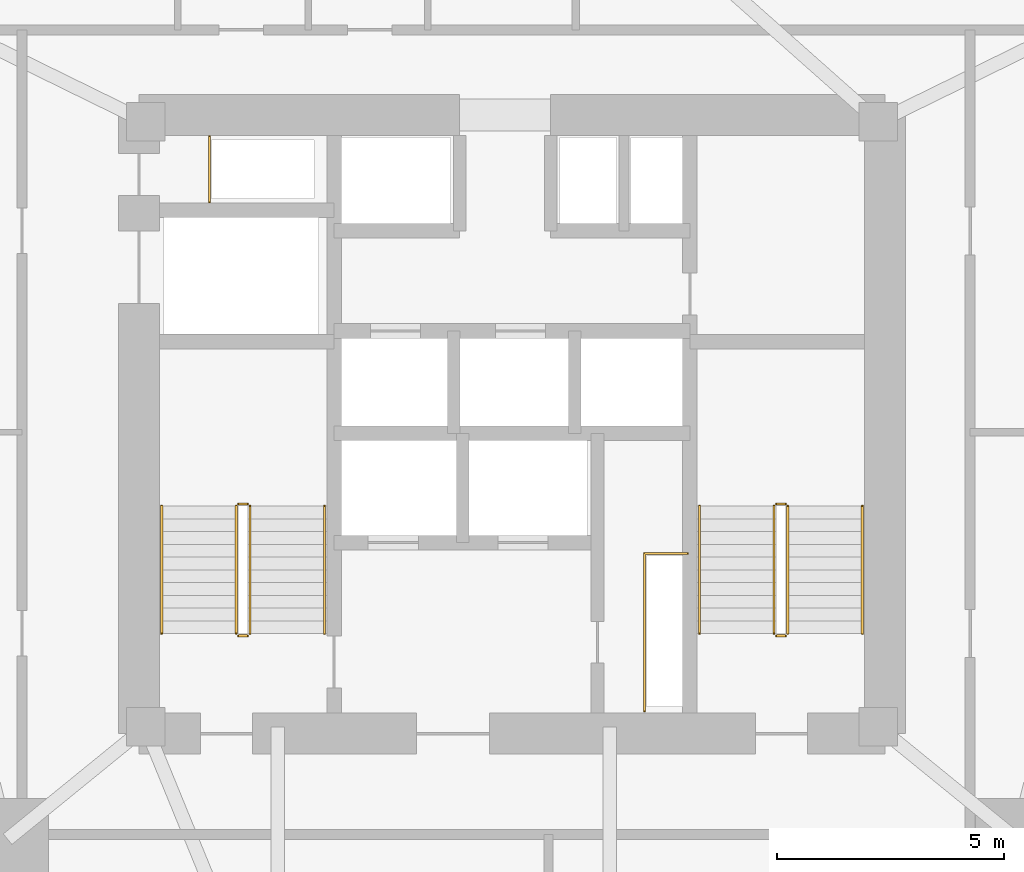
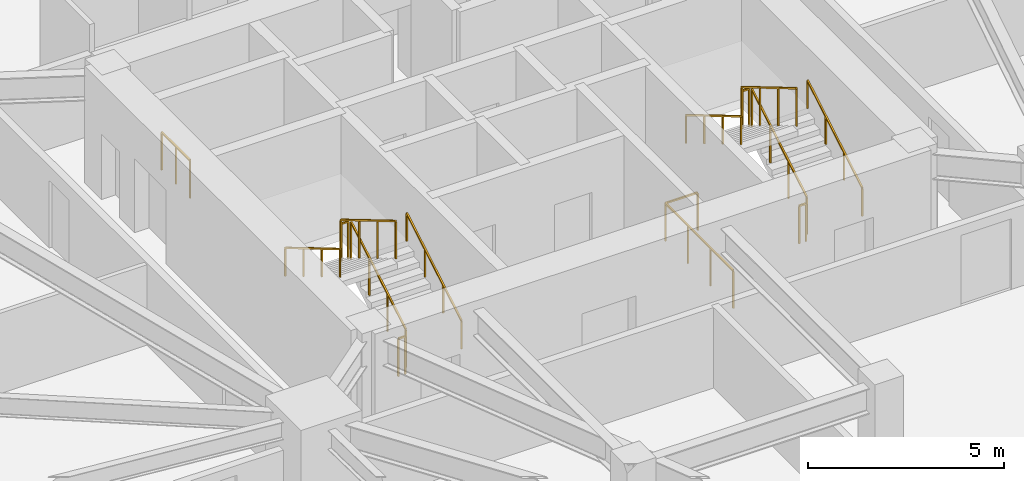
# One storey, part 20 of 20: 14 railings.
"""IFC4 building model written with IfcOpenShell, lengths in metres."""

from ifc_helpers import new_model, si_unit, direction, frame, origin, origin_2d, place, context, subcontext, project, spatial, rectangle, extrude, material, type_object, element, save


model = new_model("IFC4")

# Units and contexts
model_context = context("Model", 3, precision=1e-05, world=origin(), true_north=direction((0.0, 1.0)))
body_context = subcontext(model_context, "Body", "Model", "MODEL_VIEW")
ifc_project = project(units=[si_unit("LENGTHUNIT", "METRE"), si_unit("AREAUNIT", "SQUARE_METRE"), si_unit("VOLUMEUNIT", "CUBIC_METRE"), si_unit("PLANEANGLEUNIT", "RADIAN"), si_unit("MASSUNIT", "GRAM", prefix="KILO")], contexts=[model_context])

# Site, building, storey
site_placement = place(None, origin())
site = spatial("IfcSite", under=ifc_project, at=site_placement, CompositionType="ELEMENT")
building_placement = place(site_placement, origin())
building = spatial("IfcBuilding", under=site, at=building_placement, Name="Talyreon Biosciences Tower", CompositionType="ELEMENT")
storey_placement = place(building_placement, frame((0.0, 0.0, 26.449951171875)))
storey = spatial("IfcBuildingStorey", under=building, at=storey_placement, Name="L06", CompositionType="ELEMENT", Elevation=26.449951171875)

# Railings
ifc_material_1 = material(Name="Brushed stainless-steel tubular handrail", Category="steel")
railing_type_1 = type_object("IfcRailingType", Name="StairWallHandrail_900", PredefinedType="HANDRAIL", material=ifc_material_1)
railing_1_placement = place(storey_placement, frame((61.8798828125, 63.39990234375, 0.166015625)))
element("IfcRailing", 1, at=railing_1_placement, inside=storey, type_object=railing_type_1, Name="L06 ST-1 stair handrail 1", PredefinedType="HANDRAIL", context=body_context, shape_type="SweptSolid", body=[
    extrude(rectangle(XDim=0.048095703125, YDim=0.048095703125, at=origin_2d()), frame((0.0, 0.0, 0.8759765625), z_axis=(0.0, 0.860339051648, 0.50972219513), x_axis=(-1.0, 0.0, 0.0)), (0.0, 0.0, 1.0), 3.254638671875),
    extrude(rectangle(XDim=0.0419921875, YDim=0.0419921875, at=origin_2d()), origin(), (0.0, 0.0, 1.0), 0.851806640625),
    extrude(rectangle(XDim=0.0419921875, YDim=0.0419921875, at=origin_2d()), frame((0.0, 0.933349609375, 0.552978515625)), (0.0, 0.0, 1.0), 0.851806640625),
    extrude(rectangle(XDim=0.0419921875, YDim=0.0419921875, at=origin_2d()), frame((0.0, 1.86669921875, 1.10595703125)), (0.0, 0.0, 1.0), 0.851806640625),
    extrude(rectangle(XDim=0.0419921875, YDim=0.0419921875, at=origin_2d()), frame((0.0, 2.800048828125, 1.658935546875)), (0.0, 0.0, 1.0), 0.851806640625),
])
railing_2_placement = place(storey_placement, frame((58.300048828125, 66.199951171875, 1.990966796875)))
element("IfcRailing", 2, at=railing_2_placement, inside=storey, type_object=railing_type_1, Name="L06 ST-1 stair handrail 2", PredefinedType="HANDRAIL", context=body_context, shape_type="SweptSolid", body=[
    extrude(rectangle(XDim=0.048095703125, YDim=0.048095703125, at=origin_2d()), frame((0.0, 0.0, 0.8759765625), z_axis=(0.0, -0.860306154799, 0.50977771628), x_axis=(1.0, 0.0, 0.0)), (0.0, 0.0, 1.0), 3.254638671875),
    extrude(rectangle(XDim=0.0419921875, YDim=0.0419921875, at=origin_2d()), origin(), (0.0, 0.0, 1.0), 0.851806640625),
    extrude(rectangle(XDim=0.0419921875, YDim=0.0419921875, at=origin_2d()), frame((0.0, -0.933349609375, 0.552978515625)), (0.0, 0.0, 1.0), 0.851806640625),
    extrude(rectangle(XDim=0.0419921875, YDim=0.0419921875, at=origin_2d()), frame((0.0, -1.86669921875, 1.106201171875)), (0.0, 0.0, 1.0), 0.851806640625),
    extrude(rectangle(XDim=0.0419921875, YDim=0.0419921875, at=origin_2d()), frame((0.0, -2.800048828125, 1.6591796875)), (0.0, 0.0, 1.0), 0.851806640625),
])
railing_3_placement = place(storey_placement, frame((73.699951171875, 63.39990234375, 0.166015625)))
element("IfcRailing", 3, at=railing_3_placement, inside=storey, type_object=railing_type_1, Name="L06 ST-2 stair handrail 1", PredefinedType="HANDRAIL", context=body_context, shape_type="SweptSolid", body=[
    extrude(rectangle(XDim=0.048095703125, YDim=0.048095703125, at=origin_2d()), frame((0.0, 0.0, 0.8759765625), z_axis=(0.0, 0.860339051648, 0.50972219513), x_axis=(-1.0, 0.0, 0.0)), (0.0, 0.0, 1.0), 3.254638671875),
    extrude(rectangle(XDim=0.0419921875, YDim=0.0419921875, at=origin_2d()), origin(), (0.0, 0.0, 1.0), 0.851806640625),
    extrude(rectangle(XDim=0.0419921875, YDim=0.0419921875, at=origin_2d()), frame((0.0, 0.933349609375, 0.552978515625)), (0.0, 0.0, 1.0), 0.851806640625),
    extrude(rectangle(XDim=0.0419921875, YDim=0.0419921875, at=origin_2d()), frame((0.0, 1.86669921875, 1.10595703125)), (0.0, 0.0, 1.0), 0.851806640625),
    extrude(rectangle(XDim=0.0419921875, YDim=0.0419921875, at=origin_2d()), frame((0.0, 2.800048828125, 1.658935546875)), (0.0, 0.0, 1.0), 0.851806640625),
])
railing_4_placement = place(storey_placement, frame((70.1201171875, 66.199951171875, 1.990966796875)))
element("IfcRailing", 4, at=railing_4_placement, inside=storey, type_object=railing_type_1, Name="L06 ST-2 stair handrail 2", PredefinedType="HANDRAIL", context=body_context, shape_type="SweptSolid", body=[
    extrude(rectangle(XDim=0.048095703125, YDim=0.048095703125, at=origin_2d()), frame((0.0, 0.0, 0.8759765625), z_axis=(0.0, -0.860306154799, 0.50977771628), x_axis=(1.0, 0.0, 0.0)), (0.0, 0.0, 1.0), 3.254638671875),
    extrude(rectangle(XDim=0.0419921875, YDim=0.0419921875, at=origin_2d()), origin(), (0.0, 0.0, 1.0), 0.851806640625),
    extrude(rectangle(XDim=0.0419921875, YDim=0.0419921875, at=origin_2d()), frame((0.0, -0.933349609375, 0.552978515625)), (0.0, 0.0, 1.0), 0.851806640625),
    extrude(rectangle(XDim=0.0419921875, YDim=0.0419921875, at=origin_2d()), frame((0.0, -1.86669921875, 1.106201171875)), (0.0, 0.0, 1.0), 0.851806640625),
    extrude(rectangle(XDim=0.0419921875, YDim=0.0419921875, at=origin_2d()), frame((0.0, -2.800048828125, 1.6591796875)), (0.0, 0.0, 1.0), 0.851806640625),
])
ifc_material_2 = material(Name="Painted galvanised steel post-and-rail balustrade", Category="steel")
railing_type_2 = type_object("IfcRailingType", Name="TerraceStairGuard_1200", PredefinedType="GUARDRAIL", material=ifc_material_2)
railing_5_placement = place(storey_placement, frame((60.239990234375, 63.39990234375, 0.166015625)))
element("IfcRailing", 5, at=railing_5_placement, inside=storey, type_object=railing_type_2, Name="L06 ST-1 stair guard 1", PredefinedType="GUARDRAIL", context=body_context, shape_type="SweptSolid", body=[
    extrude(rectangle(XDim=0.048095703125, YDim=0.048095703125, at=origin_2d()), frame((0.0, 0.0, 1.17578125), z_axis=(0.0, 0.860339051648, 0.50972219513), x_axis=(-1.0, 0.0, 0.0)), (0.0, 0.0, 1.0), 3.254638671875),
    extrude(rectangle(XDim=0.0419921875, YDim=0.0419921875, at=origin_2d()), origin(), (0.0, 0.0, 1.0), 1.15185546875),
    extrude(rectangle(XDim=0.0419921875, YDim=0.0419921875, at=origin_2d()), frame((0.0, 0.933349609375, 0.552978515625)), (0.0, 0.0, 1.0), 1.15185546875),
    extrude(rectangle(XDim=0.0419921875, YDim=0.0419921875, at=origin_2d()), frame((0.0, 1.86669921875, 1.10595703125)), (0.0, 0.0, 1.0), 1.15185546875),
    extrude(rectangle(XDim=0.0419921875, YDim=0.0419921875, at=origin_2d()), frame((0.0, 2.800048828125, 1.658935546875)), (0.0, 0.0, 1.0), 1.15185546875),
])
railing_6_placement = place(storey_placement, frame((60.18994140625, 66.25, 1.824951171875)))
element("IfcRailing", 6, at=railing_6_placement, inside=storey, type_object=railing_type_2, Name="L06 ST-1 stair guard 2", PredefinedType="GUARDRAIL", context=body_context, shape_type="SweptSolid", body=[
    extrude(rectangle(XDim=0.048095703125, YDim=0.048095703125, at=origin_2d()), frame((0.0, 0.0, 1.17578125), z_axis=(-1.0, 0.0, 0.0), x_axis=(0.0, -1.0, 0.0)), (0.0, 0.0, 1.0), 0.199951171875),
    extrude(rectangle(XDim=0.0419921875, YDim=0.0419921875, at=origin_2d()), origin(), (0.0, 0.0, 1.0), 1.15185546875),
    extrude(rectangle(XDim=0.0419921875, YDim=0.0419921875, at=origin_2d()), frame((-0.199951171875, 0.0, 0.0)), (0.0, 0.0, 1.0), 1.15185546875),
])
railing_7_placement = place(storey_placement, frame((59.93994140625, 66.199951171875, 1.990966796875)))
element("IfcRailing", 7, at=railing_7_placement, inside=storey, type_object=railing_type_2, Name="L06 ST-1 stair guard 3", PredefinedType="GUARDRAIL", context=body_context, shape_type="SweptSolid", body=[
    extrude(rectangle(XDim=0.048095703125, YDim=0.048095703125, at=origin_2d()), frame((0.0, 0.0, 1.17578125), z_axis=(0.0, -0.860306154799, 0.50977771628), x_axis=(1.0, 0.0, 0.0)), (0.0, 0.0, 1.0), 3.254638671875),
    extrude(rectangle(XDim=0.0419921875, YDim=0.0419921875, at=origin_2d()), origin(), (0.0, 0.0, 1.0), 1.15185546875),
    extrude(rectangle(XDim=0.0419921875, YDim=0.0419921875, at=origin_2d()), frame((0.0, -0.933349609375, 0.552978515625)), (0.0, 0.0, 1.0), 1.15185546875),
    extrude(rectangle(XDim=0.0419921875, YDim=0.0419921875, at=origin_2d()), frame((0.0, -1.86669921875, 1.106201171875)), (0.0, 0.0, 1.0), 1.15185546875),
    extrude(rectangle(XDim=0.0419921875, YDim=0.0419921875, at=origin_2d()), frame((0.0, -2.800048828125, 1.6591796875)), (0.0, 0.0, 1.0), 1.15185546875),
])
railing_8_placement = place(storey_placement, frame((60.18994140625, 63.35009765625, 0.0)))
element("IfcRailing", 8, at=railing_8_placement, inside=storey, type_object=railing_type_2, Name="L06 ST-1 stair guard 4", PredefinedType="GUARDRAIL", context=body_context, shape_type="SweptSolid", body=[
    extrude(rectangle(XDim=0.048095703125, YDim=0.048095703125, at=origin_2d()), frame((0.0, 0.0, 1.17578125), z_axis=(-1.0, 0.0, 0.0), x_axis=(0.0, -1.0, 0.0)), (0.0, 0.0, 1.0), 0.199951171875),
    extrude(rectangle(XDim=0.0419921875, YDim=0.0419921875, at=origin_2d()), origin(), (0.0, 0.0, 1.0), 1.15185546875),
    extrude(rectangle(XDim=0.0419921875, YDim=0.0419921875, at=origin_2d()), frame((-0.199951171875, 0.0, 0.0)), (0.0, 0.0, 1.0), 1.15185546875),
])
railing_9_placement = place(storey_placement, frame((72.06005859375, 63.39990234375, 0.166015625)))
element("IfcRailing", 9, at=railing_9_placement, inside=storey, type_object=railing_type_2, Name="L06 ST-2 stair guard 1", PredefinedType="GUARDRAIL", context=body_context, shape_type="SweptSolid", body=[
    extrude(rectangle(XDim=0.048095703125, YDim=0.048095703125, at=origin_2d()), frame((0.0, 0.0, 1.17578125), z_axis=(0.0, 0.860339051648, 0.50972219513), x_axis=(-1.0, 0.0, 0.0)), (0.0, 0.0, 1.0), 3.254638671875),
    extrude(rectangle(XDim=0.0419921875, YDim=0.0419921875, at=origin_2d()), origin(), (0.0, 0.0, 1.0), 1.15185546875),
    extrude(rectangle(XDim=0.0419921875, YDim=0.0419921875, at=origin_2d()), frame((0.0, 0.933349609375, 0.552978515625)), (0.0, 0.0, 1.0), 1.15185546875),
    extrude(rectangle(XDim=0.0419921875, YDim=0.0419921875, at=origin_2d()), frame((0.0, 1.86669921875, 1.10595703125)), (0.0, 0.0, 1.0), 1.15185546875),
    extrude(rectangle(XDim=0.0419921875, YDim=0.0419921875, at=origin_2d()), frame((0.0, 2.800048828125, 1.658935546875)), (0.0, 0.0, 1.0), 1.15185546875),
])
railing_10_placement = place(storey_placement, frame((72.010009765625, 66.25, 1.824951171875)))
element("IfcRailing", 10, at=railing_10_placement, inside=storey, type_object=railing_type_2, Name="L06 ST-2 stair guard 2", PredefinedType="GUARDRAIL", context=body_context, shape_type="SweptSolid", body=[
    extrude(rectangle(XDim=0.048095703125, YDim=0.048095703125, at=origin_2d()), frame((0.0, 0.0, 1.17578125), z_axis=(-1.0, 0.0, 0.0), x_axis=(0.0, -1.0, 0.0)), (0.0, 0.0, 1.0), 0.199951171875),
    extrude(rectangle(XDim=0.0419921875, YDim=0.0419921875, at=origin_2d()), origin(), (0.0, 0.0, 1.0), 1.15185546875),
    extrude(rectangle(XDim=0.0419921875, YDim=0.0419921875, at=origin_2d()), frame((-0.199951171875, 0.0, 0.0)), (0.0, 0.0, 1.0), 1.15185546875),
])
railing_11_placement = place(storey_placement, frame((71.760009765625, 66.199951171875, 1.990966796875)))
element("IfcRailing", 11, at=railing_11_placement, inside=storey, type_object=railing_type_2, Name="L06 ST-2 stair guard 3", PredefinedType="GUARDRAIL", context=body_context, shape_type="SweptSolid", body=[
    extrude(rectangle(XDim=0.048095703125, YDim=0.048095703125, at=origin_2d()), frame((0.0, 0.0, 1.17578125), z_axis=(0.0, -0.860306154799, 0.50977771628), x_axis=(1.0, 0.0, 0.0)), (0.0, 0.0, 1.0), 3.254638671875),
    extrude(rectangle(XDim=0.0419921875, YDim=0.0419921875, at=origin_2d()), origin(), (0.0, 0.0, 1.0), 1.15185546875),
    extrude(rectangle(XDim=0.0419921875, YDim=0.0419921875, at=origin_2d()), frame((0.0, -0.933349609375, 0.552978515625)), (0.0, 0.0, 1.0), 1.15185546875),
    extrude(rectangle(XDim=0.0419921875, YDim=0.0419921875, at=origin_2d()), frame((0.0, -1.86669921875, 1.106201171875)), (0.0, 0.0, 1.0), 1.15185546875),
    extrude(rectangle(XDim=0.0419921875, YDim=0.0419921875, at=origin_2d()), frame((0.0, -2.800048828125, 1.6591796875)), (0.0, 0.0, 1.0), 1.15185546875),
])
railing_12_placement = place(storey_placement, frame((72.010009765625, 63.35009765625, 0.0)))
element("IfcRailing", 12, at=railing_12_placement, inside=storey, type_object=railing_type_2, Name="L06 ST-2 stair guard 4", PredefinedType="GUARDRAIL", context=body_context, shape_type="SweptSolid", body=[
    extrude(rectangle(XDim=0.048095703125, YDim=0.048095703125, at=origin_2d()), frame((0.0, 0.0, 1.17578125), z_axis=(-1.0, 0.0, 0.0), x_axis=(0.0, -1.0, 0.0)), (0.0, 0.0, 1.0), 0.199951171875),
    extrude(rectangle(XDim=0.0419921875, YDim=0.0419921875, at=origin_2d()), origin(), (0.0, 0.0, 1.0), 1.15185546875),
    extrude(rectangle(XDim=0.0419921875, YDim=0.0419921875, at=origin_2d()), frame((-0.199951171875, 0.0, 0.0)), (0.0, 0.0, 1.0), 1.15185546875),
])
railing_13_placement = place(storey_placement, frame((59.35009765625, 72.8798828125, 0.0)))
element("IfcRailing", 13, at=railing_13_placement, inside=storey, type_object=railing_type_2, Name="L06 Exhaust Riser Maintenance Guardrail", PredefinedType="GUARDRAIL", context=body_context, shape_type="SweptSolid", body=[
    extrude(rectangle(XDim=0.048095703125, YDim=0.048095703125, at=origin_2d()), frame((0.0, 0.0, 1.17578125), z_axis=(0.0, 1.0, 0.0), x_axis=(-1.0, 0.0, 0.0)), (0.0, 0.0, 1.0), 1.4501953125),
    extrude(rectangle(XDim=0.0419921875, YDim=0.0419921875, at=origin_2d()), origin(), (0.0, 0.0, 1.0), 1.15185546875),
    extrude(rectangle(XDim=0.0419921875, YDim=0.0419921875, at=origin_2d()), frame((0.0, 0.72509765625, 0.0)), (0.0, 0.0, 1.0), 1.15185546875),
    extrude(rectangle(XDim=0.0419921875, YDim=0.0419921875, at=origin_2d()), frame((0.0, 1.4501953125, 0.0)), (0.0, 0.0, 1.0), 1.15185546875),
])
railing_14_placement = place(storey_placement, frame((68.909912109375, 61.699951171875, 0.0)))
element("IfcRailing", 14, at=railing_14_placement, inside=storey, type_object=railing_type_2, Name="L06 Electrical Riser Maintenance Guardrail", PredefinedType="GUARDRAIL", context=body_context, shape_type="SweptSolid", body=[
    extrude(rectangle(XDim=0.048095703125, YDim=0.048095703125, at=origin_2d()), frame((0.0, 0.0, 1.17578125), z_axis=(0.0, 1.0, 0.0), x_axis=(-1.0, 0.0, 0.0)), (0.0, 0.0, 1.0), 3.4599609375),
    extrude(rectangle(XDim=0.048095703125, YDim=0.048095703125, at=origin_2d()), frame((0.0, 3.4599609375, 1.17578125), z_axis=(1.0, 0.0, 0.0), x_axis=(0.0, 1.0, 0.0)), (0.0, 0.0, 1.0), 0.9501953125),
    extrude(rectangle(XDim=0.0419921875, YDim=0.0419921875, at=origin_2d()), origin(), (0.0, 0.0, 1.0), 1.15185546875),
    extrude(rectangle(XDim=0.0419921875, YDim=0.0419921875, at=origin_2d()), frame((0.0, 1.1533203125, 0.0)), (0.0, 0.0, 1.0), 1.15185546875),
    extrude(rectangle(XDim=0.0419921875, YDim=0.0419921875, at=origin_2d()), frame((0.0, 2.306640625, 0.0)), (0.0, 0.0, 1.0), 1.15185546875),
    extrude(rectangle(XDim=0.0419921875, YDim=0.0419921875, at=origin_2d()), frame((0.0, 3.4599609375, 0.0)), (0.0, 0.0, 1.0), 1.15185546875),
    extrude(rectangle(XDim=0.0419921875, YDim=0.0419921875, at=origin_2d()), frame((0.9501953125, 3.4599609375, 0.0)), (0.0, 0.0, 1.0), 1.15185546875),
])

save(model, "model.ifc")
